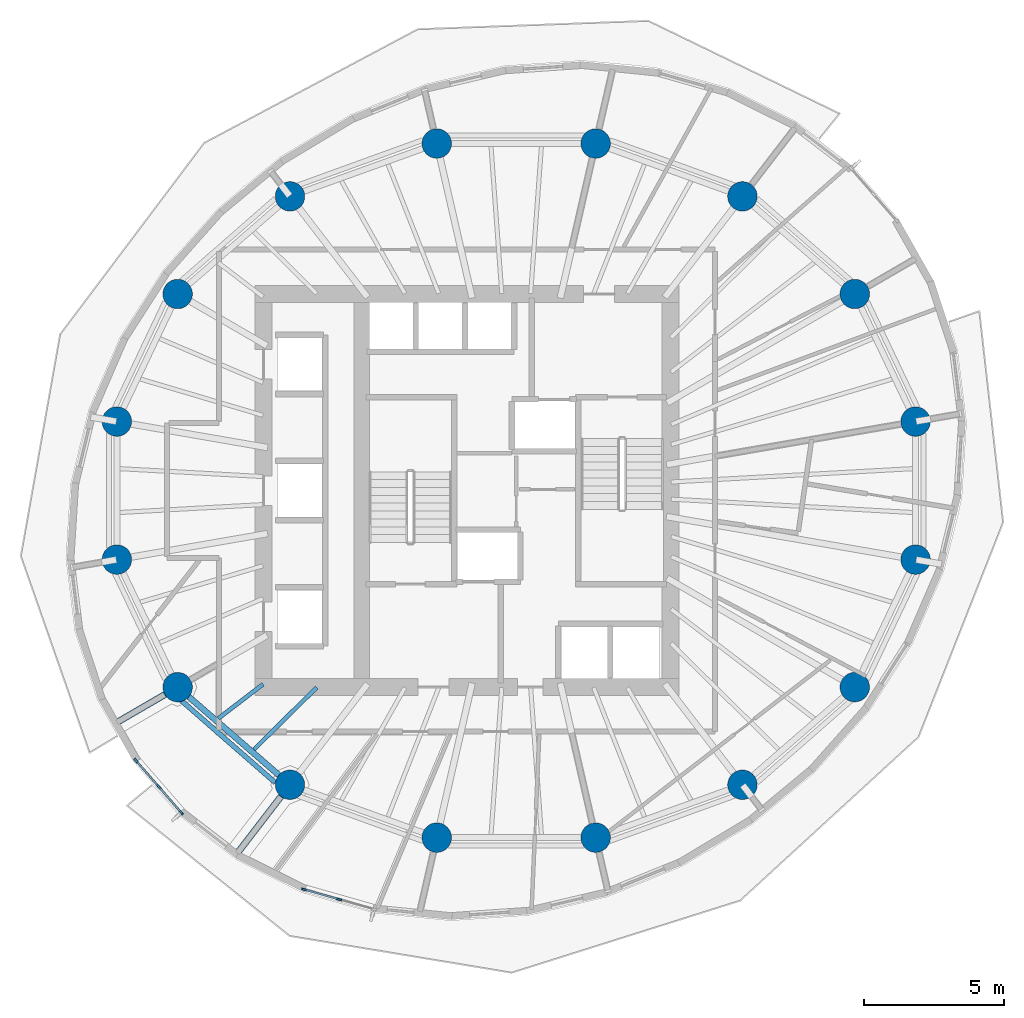
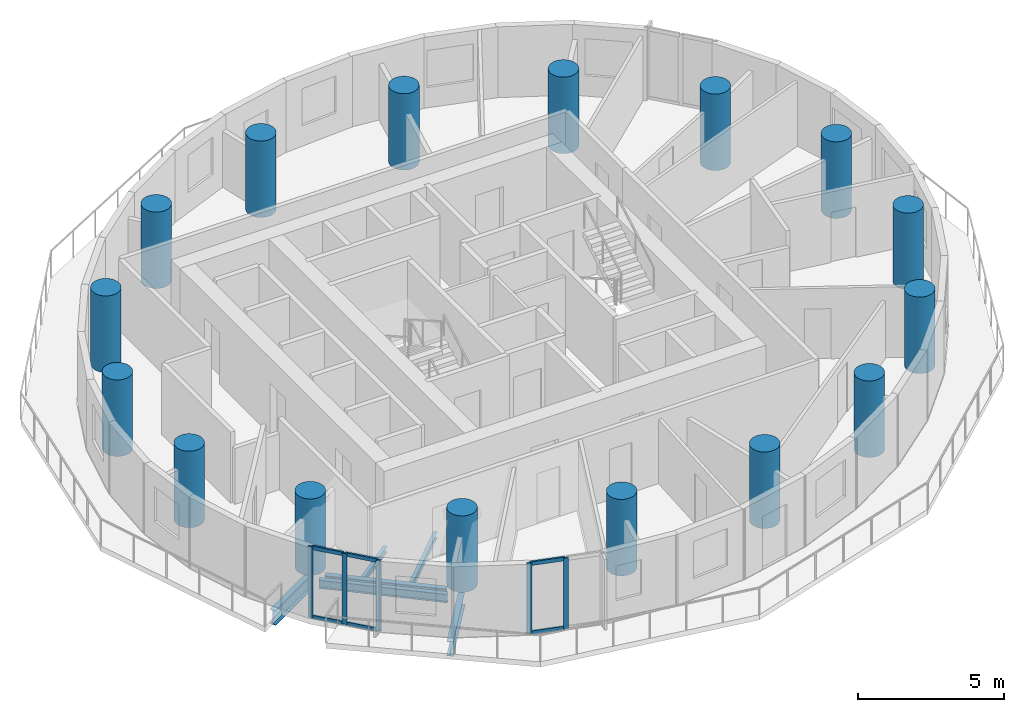
# One storey, part 1 of 12: 16 columns, 11 members, 6 beams, 2 elements without a shape of their own.
"""IFC4 building model written with IfcOpenShell, lengths in metres."""

from ifc_helpers import new_model, si_unit, direction, frame, origin, origin_2d, place, context, subcontext, project, spatial, rectangle, circle, i_section, extrude, material, material_profile, profile_set, type_object, element, aggregate, save


model = new_model("IFC4")

# Units and contexts
model_context = context("Model", 3, precision=1e-05, world=origin(), true_north=direction((0.0, 1.0)))
body_context = subcontext(model_context, "Body", "Model", "MODEL_VIEW")
ifc_project = project(units=[si_unit("LENGTHUNIT", "METRE"), si_unit("AREAUNIT", "SQUARE_METRE"), si_unit("VOLUMEUNIT", "CUBIC_METRE"), si_unit("PLANEANGLEUNIT", "RADIAN"), si_unit("MASSUNIT", "GRAM", prefix="KILO")], contexts=[model_context])

# Site, building, storey
site_placement = place(None, origin())
site = spatial("IfcSite", under=ifc_project, at=site_placement, CompositionType="ELEMENT")
building_placement = place(site_placement, origin())
building = spatial("IfcBuilding", under=site, at=building_placement, Name="Veldorim Arch Residences", CompositionType="ELEMENT")
storey_placement = place(building_placement, frame((0.0, 0.0, 142.56005859375)))
storey = spatial("IfcBuildingStorey", under=building, at=storey_placement, Name="L42", CompositionType="ELEMENT", Elevation=142.56005859375)

# Columns
ifc_material_1 = material(Name="Concrete C50/60", Category="concrete")
ifc_material_profile_1 = material_profile(ifc_material_1, circle(Radius=0.52490234375, at=origin_2d()), Name="RC_CIRC_1050")
ifc_profile_set_1 = profile_set([ifc_material_profile_1], Name="Concrete C50/60")
column_type = type_object("IfcColumnType", Name="Structural Column RC_CIRC_1050", PredefinedType="COLUMN", material=ifc_profile_set_1)
for number, where, z_axis, x_axis, name in (
    (1, (46.221435546875, 26.4580078125, 0.0), (0.0, 0.0, 1.0), (1.0, 0.0, 0.0), "L42 TC-Z3-01 perimeter column"),
    (2, (44.056396484375, 31.000244140625, 0.0), (0.0, 0.0, 1.0), (1.0, 0.0, 0.0), "L42 TC-Z3-02 perimeter column"),
    (3, (40.055908203125, 34.4765625, 0.0), (0.0, 0.0, 1.0), (1.0, 0.0, 0.0), "L42 TC-Z3-03 perimeter column"),
    (4, (34.828857421875, 36.35791015625, 0.0), (0.0, 0.0, 1.0), (1.0, 0.0, 0.0), "L42 TC-Z3-04 perimeter column"),
    (5, (29.171142578125, 36.35791015625, 0.0), (0.0, 0.0, 1.0), (1.0, 0.0, 0.0), "L42 TC-Z3-05 perimeter column"),
    (6, (23.944091796875, 34.4765625, 0.0), (0.0, 0.0, 1.0), (1.0, 0.0, 0.0), "L42 TC-Z3-06 perimeter column"),
    (7, (19.943603515625, 31.000244140625, 0.0), (0.0, 0.0, 1.0), (1.0, 0.0, 0.0), "L42 TC-Z3-07 perimeter column"),
    (8, (17.778564453125, 26.4580078125, 0.0), (0.0, 0.0, 1.0), (1.0, 0.0, 0.0), "L42 TC-Z3-08 perimeter column"),
    (9, (17.778564453125, 21.5419921875, 0.0), (0.0, 0.0, 1.0), (1.0, 0.0, 0.0), "L42 TC-Z3-09 perimeter column"),
    (10, (19.943603515625, 16.999755859375, 0.0), (0.0, 0.0, 1.0), (1.0, 0.0, 0.0), "L42 TC-Z3-10 perimeter column"),
    (11, (23.944091796875, 13.5234375, 0.0), (0.0, 0.0, 1.0), (1.0, 0.0, 0.0), "L42 TC-Z3-11 perimeter column"),
    (12, (29.171142578125, 11.64208984375, 0.0), (0.0, 0.0, 1.0), (1.0, 0.0, 0.0), "L42 TC-Z3-12 perimeter column"),
    (13, (34.828857421875, 11.64208984375, 0.0), (0.0, 0.0, 1.0), (1.0, 0.0, 0.0), "L42 TC-Z3-13 perimeter column"),
    (14, (40.055908203125, 13.5234375, 0.0), (0.0, 0.0, 1.0), (1.0, 0.0, 0.0), "L42 TC-Z3-14 perimeter column"),
    (15, (44.056396484375, 16.999755859375, 0.0), (0.0, 0.0, 1.0), (1.0, 0.0, 0.0), "L42 TC-Z3-15 perimeter column"),
    (16, (46.221435546875, 21.5419921875, 0.0), (0.0, 0.0, 1.0), (1.0, 0.0, 0.0), "L42 TC-Z3-16 perimeter column"),
):
    element("IfcColumn", number, at=place(storey_placement, frame(where, z_axis=z_axis, x_axis=x_axis)), inside=storey, type_object=column_type, Name=name, PredefinedType="COLUMN", context=body_context, shape_type="SweptSolid", body=[
        extrude(circle(Radius=0.52490234375, at=origin_2d()), origin(), (0.0, 0.0, 1.0), 3.199951171875),
    ])

# Beams
ifc_material_2 = material(Name="Steel S355", Category="steel")
ifc_material_profile_2 = material_profile(ifc_material_2, i_section(OverallWidth=0.2099609375, OverallDepth=0.53662109375, WebThickness=0.0107421875, FlangeThickness=0.017333984375, at=origin_2d()), Name="UB533x210x101")
ifc_profile_set_2 = profile_set([ifc_material_profile_2], Name="Steel S355")
beam_type_1 = type_object("IfcBeamType", Name="Structural Steel Beam UB533x210x101", PredefinedType="BEAM", material=ifc_profile_set_2)
beam_1_placement = place(storey_placement, frame((20.340087890625, 16.655517578125, -0.508544921875), z_axis=(0.754810789581, -0.655942582802, 0.0), x_axis=(0.655942582802, 0.754810789581, 0.0)))
element("IfcBeam", 17, at=beam_1_placement, inside=storey, type_object=beam_type_1, Name="L42 perimeter ring tie beam 10", PredefinedType="BEAM", context=body_context, shape_type="SweptSolid", body=[
    extrude(i_section(OverallWidth=0.2099609375, OverallDepth=0.53662109375, WebThickness=0.0107421875, FlangeThickness=0.017333984375, at=origin_2d()), origin(), (0.0, 0.0, 1.0), 4.249755859375),
])
ifc_material_3 = material(Name="Steel S355", Category="steel")
ifc_material_profile_3 = material_profile(ifc_material_3, i_section(OverallWidth=0.22900390625, OverallDepth=0.6123046875, WebThickness=0.011962890625, FlangeThickness=0.01953125, at=origin_2d()), Name="UB610x229x125")
ifc_profile_set_3 = profile_set([ifc_material_profile_3], Name="Steel S355")
beam_type_2 = type_object("IfcBeamType", Name="Structural Steel Beam UB610x229x125", PredefinedType="BEAM", material=ifc_profile_set_3)
beam_2_placement = place(storey_placement, frame((19.926513671875, 16.98974609375, -0.546142578125), z_axis=(-0.864771551205, -0.502165474946, 0.0), x_axis=(0.502165474946, -0.864771551205, 0.0)))
element("IfcBeam", 18, at=beam_2_placement, inside=storey, type_object=beam_type_2, Name="L42 radial edge cantilever girder 10", PredefinedType="BEAM", context=body_context, shape_type="SweptSolid", body=[
    extrude(i_section(OverallWidth=0.22900390625, OverallDepth=0.6123046875, WebThickness=0.011962890625, FlangeThickness=0.01953125, at=origin_2d()), origin(), (0.0, 0.0, 1.0), 2.555908203125),
])
beam_3_placement = place(storey_placement, frame((23.931884765625, 13.507568359375, -0.546142578125), z_axis=(-0.60954833207, -0.792748907833, 0.0), x_axis=(0.792748907833, -0.60954833207, 0.0)))
element("IfcBeam", 19, at=beam_3_placement, inside=storey, type_object=beam_type_2, Name="L42 radial edge cantilever girder 11", PredefinedType="BEAM", context=body_context, shape_type="SweptSolid", body=[
    extrude(i_section(OverallWidth=0.22900390625, OverallDepth=0.6123046875, WebThickness=0.011962890625, FlangeThickness=0.01953125, at=origin_2d()), origin(), (0.0, 0.0, 1.0), 3.123779296875),
])
ifc_material_4 = material(Name="Steel S355", Category="steel")
ifc_material_profile_4 = material_profile(ifc_material_4, i_section(OverallWidth=0.146484375, OverallDepth=0.256103515625, WebThickness=0.00634765625, FlangeThickness=0.010986328125, at=origin_2d()), Name="UB254x146x37")
ifc_profile_set_4 = profile_set([ifc_material_profile_4], Name="Steel S355")
beam_type_3 = type_object("IfcBeamType", Name="Structural Steel Joist UB254x146x37", PredefinedType="JOIST", material=ifc_profile_set_4)
beam_4_placement = place(storey_placement, frame((22.984130859375, 17.10302734375, -0.3681640625), z_axis=(-0.794312925337, -0.607508828448, 0.0), x_axis=(0.607508828448, -0.794312925337, 0.0)))
element("IfcBeam", 20, at=beam_4_placement, inside=storey, type_object=beam_type_3, Name="L42 secondary radial floor joist 10-1", PredefinedType="JOIST", context=body_context, shape_type="SweptSolid", body=[
    extrude(i_section(OverallWidth=0.146484375, OverallDepth=0.256103515625, WebThickness=0.00634765625, FlangeThickness=0.010986328125, at=origin_2d()), origin(), (0.0, 0.0, 1.0), 2.006103515625),
])
beam_5_placement = place(storey_placement, frame((24.894287109375, 16.986083984375, -0.3681640625), z_axis=(-0.711683379532, -0.702500368183, 0.0), x_axis=(0.702500368183, -0.711683379532, 0.0)))
element("IfcBeam", 21, at=beam_5_placement, inside=storey, type_object=beam_type_3, Name="L42 secondary radial floor joist 10-2", PredefinedType="JOIST", context=body_context, shape_type="SweptSolid", body=[
    extrude(i_section(OverallWidth=0.146484375, OverallDepth=0.256103515625, WebThickness=0.00634765625, FlangeThickness=0.010986328125, at=origin_2d()), origin(), (0.0, 0.0, 1.0), 3.13720703125),
])
ifc_material_5 = material(Name="Steel S355", Category="steel")
ifc_material_profile_5 = material_profile(ifc_material_5, i_section(OverallWidth=0.172119140625, OverallDepth=0.35791015625, WebThickness=0.008056640625, FlangeThickness=0.012939453125, at=origin_2d()), Name="UB356x171x57")
ifc_profile_set_5 = profile_set([ifc_material_profile_5], Name="Steel S355")
beam_type_4 = type_object("IfcBeamType", Name="Structural Steel Spandrel UB356x171x57", PredefinedType="SPANDREL", material=ifc_profile_set_5)
beam_6_placement = place(storey_placement, frame((20.0419921875, 16.55078125, -0.43896484375), z_axis=(0.753014748982, -0.658003638148, 0.0), x_axis=(0.658003638148, 0.753014748982, 0.0)))
element("IfcBeam", 22, at=beam_6_placement, inside=storey, type_object=beam_type_4, Name="L42 perimeter chord spandrel beam 10", PredefinedType="SPANDREL", context=body_context, shape_type="SweptSolid", body=[
    extrude(i_section(OverallWidth=0.172119140625, OverallDepth=0.35791015625, WebThickness=0.008056640625, FlangeThickness=0.012939453125, at=origin_2d()), origin(), (0.0, 0.0, 1.0), 4.486572265625),
])

# Curtain wall, members
ifc_material_6 = material(Name="Aluminium", Category="aluminium")
curtain_wall_type = type_object("IfcCurtainWallType", Name="Zone 3 High-Wind Unitised Curtain Wall", PredefinedType="NOTDEFINED", material=ifc_material_6)
curtain_wall_1_placement = place(storey_placement, origin())
curtain_wall_1 = element("IfcCurtainWall", 23, at=curtain_wall_1_placement, inside=storey, type_object=curtain_wall_type, Name="L42 unitised curtain wall bay 19", PredefinedType="NOTDEFINED")
ifc_material_7 = material(Name="Aluminium", Category="aluminium")
ifc_material_profile_6 = material_profile(ifc_material_7, rectangle(XDim=0.070068359375, YDim=0.179931640625, at=origin_2d()), Name="ALU_MUL_70x180")
ifc_profile_set_6 = profile_set([ifc_material_profile_6], Name="Aluminium")
member_type_1 = type_object("IfcMemberType", Name="Zone 3 High-Wind Unitised Curtain Wall Mullion 70x180", PredefinedType="MULLION", material=ifc_profile_set_6)
member_1_placement = place(storey_placement, frame((20.075439453125, 12.5283203125, 0.0), z_axis=(0.0, 0.0, 1.0), x_axis=(-0.754399890607, -0.65641511641, 0.0)))
member_1 = element("IfcMember", 24, at=member_1_placement, type_object=member_type_1, Name="CW-Z3 mullion 1", PredefinedType="MULLION", context=body_context, shape_type="SweptSolid", body=[
    extrude(rectangle(XDim=0.070068359375, YDim=0.179931640625, at=origin_2d()), origin(), (0.0, 0.0, 1.0), 2.9599609375),
])
member_2_placement = place(storey_placement, frame((19.2666015625, 13.457763671875, 0.0), z_axis=(0.0, 0.0, 1.0), x_axis=(-0.754399890607, -0.65641511641, 0.0)))
member_2 = element("IfcMember", 25, at=member_2_placement, type_object=member_type_1, Name="CW-Z3 mullion 2", PredefinedType="MULLION", context=body_context, shape_type="SweptSolid", body=[
    extrude(rectangle(XDim=0.070068359375, YDim=0.179931640625, at=origin_2d()), origin(), (0.0, 0.0, 1.0), 2.9599609375),
])
member_3_placement = place(storey_placement, frame((18.4580078125, 14.38720703125, 0.0), z_axis=(0.0, 0.0, 1.0), x_axis=(-0.754399890607, -0.65641511641, 0.0)))
member_3 = element("IfcMember", 26, at=member_3_placement, type_object=member_type_1, Name="CW-Z3 mullion 3", PredefinedType="MULLION", context=body_context, shape_type="SweptSolid", body=[
    extrude(rectangle(XDim=0.070068359375, YDim=0.179931640625, at=origin_2d()), origin(), (0.0, 0.0, 1.0), 2.9599609375),
])

curtain_wall_2_placement = place(storey_placement, origin())
curtain_wall_2 = element("IfcCurtainWall", 27, at=curtain_wall_2_placement, inside=storey, type_object=curtain_wall_type, Name="L42 unitised curtain wall bay 22", PredefinedType="NOTDEFINED")
member_4_placement = place(storey_placement, frame((25.691650390625, 9.442626953125, 0.0), z_axis=(0.0, 0.0, 1.0), x_axis=(-0.273550022991, -0.961857777908, 0.0)))
member_4 = element("IfcMember", 28, at=member_4_placement, type_object=member_type_1, Name="CW-Z3 mullion 2", PredefinedType="MULLION", context=body_context, shape_type="SweptSolid", body=[
    extrude(rectangle(XDim=0.070068359375, YDim=0.179931640625, at=origin_2d()), origin(), (0.0, 0.0, 1.0), 2.9599609375),
])
member_5_placement = place(storey_placement, frame((24.445068359375, 9.797119140625, 0.0), z_axis=(0.0, 0.0, 1.0), x_axis=(-0.273550022991, -0.961857777908, 0.0)))
member_5 = element("IfcMember", 29, at=member_5_placement, type_object=member_type_1, Name="CW-Z3 mullion 3", PredefinedType="MULLION", context=body_context, shape_type="SweptSolid", body=[
    extrude(rectangle(XDim=0.070068359375, YDim=0.179931640625, at=origin_2d()), origin(), (0.0, 0.0, 1.0), 2.9599609375),
])

# Member
ifc_material_8 = material(Name="Aluminium", Category="aluminium")
ifc_material_profile_7 = material_profile(ifc_material_8, rectangle(XDim=0.070068359375, YDim=0.155029296875, at=origin_2d()), Name="ALU_TRN_70x155")
ifc_profile_set_7 = profile_set([ifc_material_profile_7], Name="Aluminium")
member_type_2 = type_object("IfcMemberType", Name="Zone 3 High-Wind Unitised Curtain Wall Transom 70x155", PredefinedType="USERDEFINED", material=ifc_profile_set_7)
member_6_placement = place(storey_placement, frame((20.052490234375, 12.5546875, 0.034912109375), z_axis=(-0.656345148791, 0.754460764824, 0.0), x_axis=(-0.754460764824, -0.656345148791, 0.0)))
member_6 = element("IfcMember", 30, at=member_6_placement, type_object=member_type_2, Name="CW-Z3 transom 1.1", ObjectType="TRANSOM", PredefinedType="USERDEFINED", context=body_context, shape_type="SweptSolid", body=[
    extrude(rectangle(XDim=0.070068359375, YDim=0.155029296875, at=origin_2d()), origin(), (0.0, 0.0, 1.0), 1.162109375),
])

member_7_placement = place(storey_placement, frame((20.052490234375, 12.5546875, 2.925048828125), z_axis=(-0.656345148791, 0.754460764824, 0.0), x_axis=(-0.754460764824, -0.656345148791, 0.0)))
member_7 = element("IfcMember", 31, at=member_7_placement, type_object=member_type_2, Name="CW-Z3 transom 1.2", ObjectType="TRANSOM", PredefinedType="USERDEFINED", context=body_context, shape_type="SweptSolid", body=[
    extrude(rectangle(XDim=0.070068359375, YDim=0.155029296875, at=origin_2d()), origin(), (0.0, 0.0, 1.0), 1.162109375),
])

member_8_placement = place(storey_placement, frame((19.24365234375, 13.484130859375, 0.034912109375), z_axis=(-0.656345148791, 0.754460764824, 0.0), x_axis=(-0.754460764824, -0.656345148791, 0.0)))
member_8 = element("IfcMember", 32, at=member_8_placement, type_object=member_type_2, Name="CW-Z3 transom 2.1", ObjectType="TRANSOM", PredefinedType="USERDEFINED", context=body_context, shape_type="SweptSolid", body=[
    extrude(rectangle(XDim=0.070068359375, YDim=0.155029296875, at=origin_2d()), origin(), (0.0, 0.0, 1.0), 1.162109375),
])

member_9_placement = place(storey_placement, frame((19.24365234375, 13.484130859375, 2.925048828125), z_axis=(-0.656345148791, 0.754460764824, 0.0), x_axis=(-0.754460764824, -0.656345148791, 0.0)))
member_9 = element("IfcMember", 33, at=member_9_placement, type_object=member_type_2, Name="CW-Z3 transom 2.2", ObjectType="TRANSOM", PredefinedType="USERDEFINED", context=body_context, shape_type="SweptSolid", body=[
    extrude(rectangle(XDim=0.070068359375, YDim=0.155029296875, at=origin_2d()), origin(), (0.0, 0.0, 1.0), 1.162109375),
])

aggregate(curtain_wall_1, [member_1, member_2, member_3, member_6, member_7, member_8, member_9])

member_10_placement = place(storey_placement, frame((25.657958984375, 9.452392578125, 0.034912109375), z_axis=(-0.961891322265, 0.273432046681, 0.0), x_axis=(-0.273432046681, -0.961891322265, 0.0)))
member_10 = element("IfcMember", 34, at=member_10_placement, type_object=member_type_2, Name="CW-Z3 transom 2.1", ObjectType="TRANSOM", PredefinedType="USERDEFINED", context=body_context, shape_type="SweptSolid", body=[
    extrude(rectangle(XDim=0.070068359375, YDim=0.155029296875, at=origin_2d()), origin(), (0.0, 0.0, 1.0), 1.225830078125),
])

member_11_placement = place(storey_placement, frame((25.657958984375, 9.452392578125, 2.925048828125), z_axis=(-0.961891322265, 0.273432046681, 0.0), x_axis=(-0.273432046681, -0.961891322265, 0.0)))
member_11 = element("IfcMember", 35, at=member_11_placement, type_object=member_type_2, Name="CW-Z3 transom 2.2", ObjectType="TRANSOM", PredefinedType="USERDEFINED", context=body_context, shape_type="SweptSolid", body=[
    extrude(rectangle(XDim=0.070068359375, YDim=0.155029296875, at=origin_2d()), origin(), (0.0, 0.0, 1.0), 1.225830078125),
])

aggregate(curtain_wall_2, [member_4, member_5, member_10, member_11])

save(model, "model.ifc")
